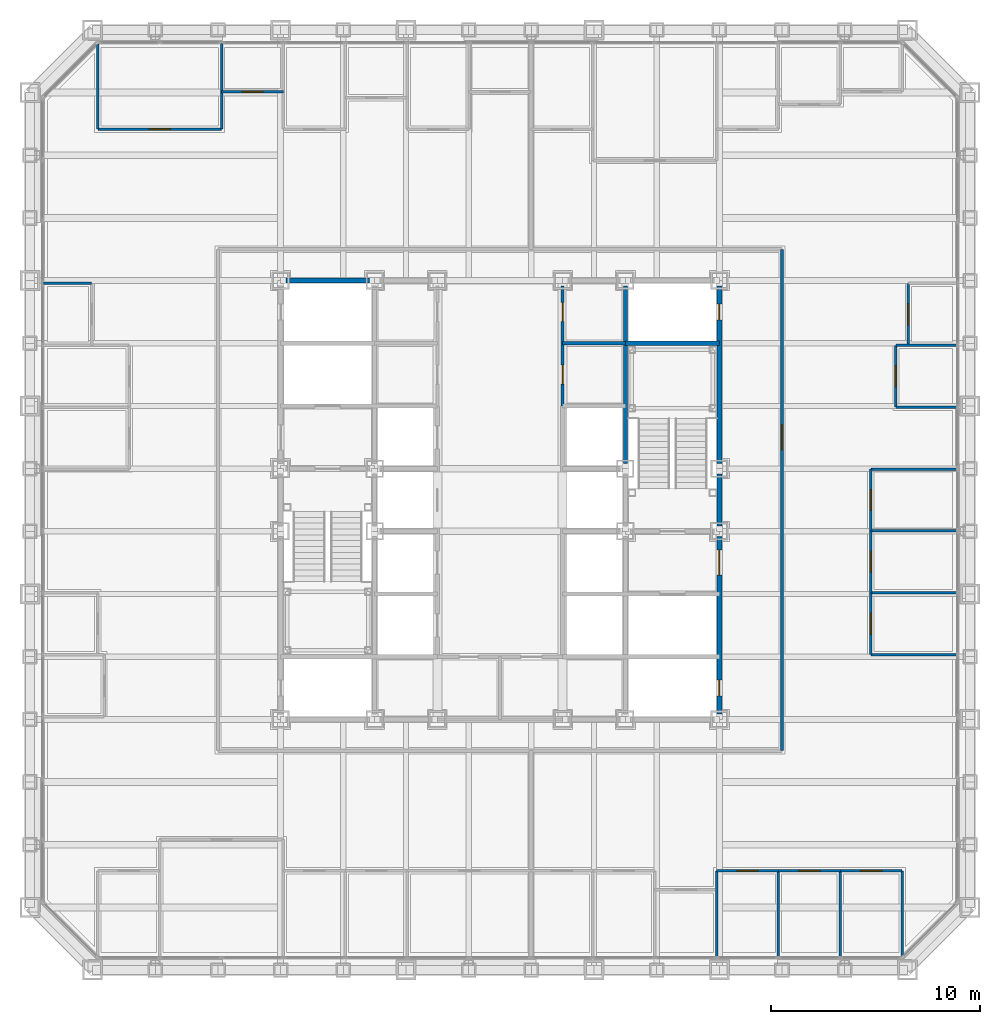
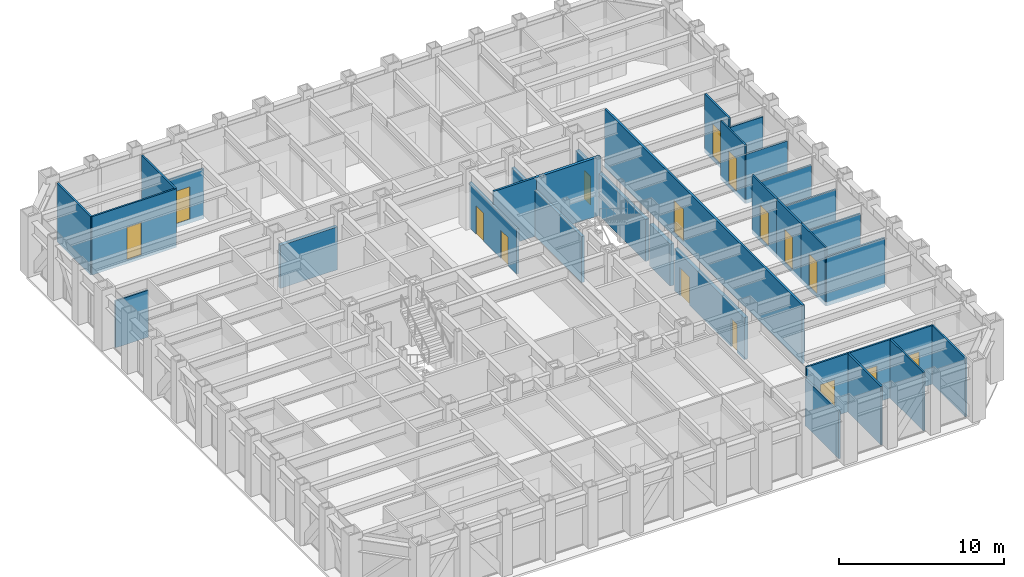
# One storey, part 10 of 16: 32 walls, 16 doors, 16 openings.
"""IFC4 building model written with IfcOpenShell, lengths in metres."""

from ifc_helpers import new_model, si_unit, direction, frame, frame_2d, origin, place, context, subcontext, project, spatial, rectangle, extrude, material, layer, layer_set, type_object, element, fill, save


model = new_model("IFC4")

# Units and contexts
model_context = context("Model", 3, precision=1e-05, world=origin(), true_north=direction((0.0, 1.0)))
body_context = subcontext(model_context, "Body", "Model", "MODEL_VIEW")
ifc_project = project(units=[si_unit("LENGTHUNIT", "METRE"), si_unit("AREAUNIT", "SQUARE_METRE"), si_unit("VOLUMEUNIT", "CUBIC_METRE"), si_unit("PLANEANGLEUNIT", "RADIAN"), si_unit("MASSUNIT", "GRAM", prefix="KILO")], contexts=[model_context])

# Site, building, storey
site_placement = place(None, origin())
site = spatial("IfcSite", under=ifc_project, at=site_placement, CompositionType="ELEMENT")
building_placement = place(site_placement, origin())
building = spatial("IfcBuilding", under=site, at=building_placement, Name="Chuquiago Exchange Tower", CompositionType="ELEMENT")
storey_placement = place(building_placement, frame((0.0, 0.0, 55.800048828125)))
storey = spatial("IfcBuildingStorey", under=building, at=storey_placement, Name="L11", CompositionType="ELEMENT", Elevation=55.800048828125)

# Wall
ifc_material_1 = material(Name="Concrete masonry, fully grouted", Category="masonry")
ifc_layer_1 = layer(ifc_material_1, 0.25)
ifc_layer_set_1 = layer_set([ifc_layer_1], Name="W1 core wall 250")
wall_type_1 = type_object("IfcWallType", Name="W1 core wall 250", PredefinedType="SOLIDWALL", material=ifc_layer_set_1)
wall_1_placement = place(storey_placement, frame((12.25, 33.0, 0.0), z_axis=(0.0, 0.0, 1.0), x_axis=(1.0, 0.0, 0.0)))
element("IfcWall", 1, at=wall_1_placement, inside=storey, type_object=wall_type_1, Name="CW-L11-11-0", PredefinedType="SOLIDWALL", context=body_context, shape_type="SweptSolid", body=[
    extrude(rectangle(XDim=4.0, YDim=0.25, at=frame_2d((2.0, 0.0))), origin(), (0.0, 0.0, 1.0), 3.181396484375),
])

# Wall, openings, doors
wall_2_placement = place(storey_placement, frame((33.0, 12.25, 0.0), z_axis=(0.0, 0.0, 1.0), x_axis=(0.0, 1.0, 0.0)))
wall_2 = element("IfcWall", 2, at=wall_2_placement, inside=storey, type_object=wall_type_1, Name="CW-L11-25-0", PredefinedType="SOLIDWALL", context=body_context, shape_type="SweptSolid", body=[
    extrude(rectangle(XDim=8.5, YDim=0.25, at=frame_2d((4.25, 0.0))), origin(), (0.0, 0.0, 1.0), 3.11279296875),
])
opening_1_placement = place(wall_2_placement, frame((6.64990234375, 0.0, 0.0)))
opening_1 = element("IfcOpeningElement", 3, at=opening_1_placement, cuts=wall_2, Name="Opening L11-004", PredefinedType="OPENING", context=body_context, shape_type="SweptSolid", body=[
    extrude(rectangle(XDim=1.199951171875, YDim=2.10009765625, at=frame_2d((0.60009765625, 1.050048828125))), frame((0.0, 0.135009765625, 0.0), z_axis=(0.0, -1.0, 0.0), x_axis=(1.0, 0.0, 0.0)), (0.0, 0.0, 1.0), 0.27001953125),
])
opening_2_placement = place(wall_2_placement, frame((0.875, 0.0, 0.0)))
opening_2 = element("IfcOpeningElement", 4, at=opening_2_placement, cuts=wall_2, Name="Opening L11-009", PredefinedType="OPENING", context=body_context, shape_type="SweptSolid", body=[
    extrude(rectangle(XDim=0.75, YDim=2.10009765625, at=frame_2d((0.375, 1.050048828125))), frame((0.0, 0.135009765625, 0.0), z_axis=(0.0, -1.0, 0.0), x_axis=(1.0, 0.0, 0.0)), (0.0, 0.0, 1.0), 0.27001953125),
])
ifc_material_2 = material(Name="Steel door, painted", Category="steel")
door_type_1 = type_object("IfcDoorType", Name="D5 firefighting lobby door 1200x2100", OperationType="SINGLE_SWING_LEFT", PredefinedType="DOOR", material=ifc_material_2)
door_1_placement = place(opening_1_placement, origin())
door_1 = element("IfcDoor", 5, at=door_1_placement, inside=storey, type_object=door_type_1, Name="Firefighting lobby 2 door", OperationType="SINGLE_SWING_RIGHT", OverallHeight=2.10009765625, OverallWidth=1.199951171875, PredefinedType="DOOR", context=body_context, shape_type="SweptSolid", body=[
    extrude(rectangle(XDim=1.199951171875, YDim=2.10009765625, at=frame_2d((0.60009765625, 1.050048828125))), frame((0.0, 0.02490234375, 0.0), z_axis=(0.0, -1.0, 0.0), x_axis=(1.0, 0.0, 0.0)), (0.0, 0.0, 1.0), 0.050048828125),
])
fill(opening_1, door_1)
ifc_material_3 = material(Name="Steel door, painted", Category="steel")
door_type_2 = type_object("IfcDoorType", Name="D6 riser access door 750x2100", OperationType="SINGLE_SWING_LEFT", PredefinedType="DOOR", material=ifc_material_3)
door_2_placement = place(opening_2_placement, frame((0.75, 0.0, 0.0), z_axis=(0.0, 0.0, 1.0), x_axis=(-1.0, 0.0, 0.0)))
door_2 = element("IfcDoor", 6, at=door_2_placement, inside=storey, type_object=door_type_2, Name="Riser RE1 door", OperationType="SINGLE_SWING_RIGHT", OverallHeight=2.10009765625, OverallWidth=0.75, PredefinedType="DOOR", context=body_context, shape_type="SweptSolid", body=[
    extrude(rectangle(XDim=0.75, YDim=2.10009765625, at=frame_2d((0.375, 1.050048828125))), frame((0.0, 0.02490234375, 0.0), z_axis=(0.0, -1.0, 0.0), x_axis=(1.0, 0.0, 0.0)), (0.0, 0.0, 1.0), 0.050048828125),
])
fill(opening_2, door_2)

# Wall
wall_3_placement = place(storey_placement, frame((33.0, 21.25, 0.0), z_axis=(0.0, 0.0, 1.0), x_axis=(0.0, 1.0, 0.0)))
element("IfcWall", 7, at=wall_3_placement, inside=storey, type_object=wall_type_1, Name="CW-L11-25-1", PredefinedType="SOLIDWALL", context=body_context, shape_type="SweptSolid", body=[
    extrude(rectangle(XDim=2.5, YDim=0.25, at=frame_2d((1.25, 0.0))), origin(), (0.0, 0.0, 1.0), 3.11279296875),
])

# Wall, opening, door
wall_4_placement = place(storey_placement, frame((33.0, 24.25, 0.0), z_axis=(0.0, 0.0, 1.0), x_axis=(0.0, 1.0, 0.0)))
wall_4 = element("IfcWall", 8, at=wall_4_placement, inside=storey, type_object=wall_type_1, Name="CW-L11-25-2", PredefinedType="SOLIDWALL", context=body_context, shape_type="SweptSolid", body=[
    extrude(rectangle(XDim=8.5, YDim=0.25, at=frame_2d((4.25, 0.0))), origin(), (0.0, 0.0, 1.0), 3.11279296875),
])
opening_3_placement = place(wall_4_placement, frame((6.875, 0.0, 0.0)))
opening_3 = element("IfcOpeningElement", 9, at=opening_3_placement, cuts=wall_4, Name="Opening L11-010", PredefinedType="OPENING", context=body_context, shape_type="SweptSolid", body=[
    extrude(rectangle(XDim=0.75, YDim=2.10009765625, at=frame_2d((0.375, 1.050048828125))), frame((0.0, 0.135009765625, 0.0), z_axis=(0.0, -1.0, 0.0), x_axis=(1.0, 0.0, 0.0)), (0.0, 0.0, 1.0), 0.27001953125),
])
door_3_placement = place(opening_3_placement, frame((0.75, 0.0, 0.0), z_axis=(0.0, 0.0, 1.0), x_axis=(-1.0, 0.0, 0.0)))
door_3 = element("IfcDoor", 10, at=door_3_placement, inside=storey, type_object=door_type_2, Name="Riser RE2 door", OperationType="SINGLE_SWING_LEFT", OverallHeight=2.10009765625, OverallWidth=0.75, PredefinedType="DOOR", context=body_context, shape_type="SweptSolid", body=[
    extrude(rectangle(XDim=0.75, YDim=2.10009765625, at=frame_2d((0.375, 1.050048828125))), frame((0.0, 0.02490234375, 0.0), z_axis=(0.0, -1.0, 0.0), x_axis=(1.0, 0.0, 0.0)), (0.0, 0.0, 1.0), 0.050048828125),
])
fill(opening_3, door_3)

ifc_material_4 = material(Name="Gypsum board on steel studs, acoustic insulation", Category="steel")
ifc_layer_2 = layer(ifc_material_4, 0.14990234375)
ifc_layer_set_2 = layer_set([ifc_layer_2], Name="W11 corridor wall 150")
wall_type_2 = type_object("IfcWallType", Name="W11 corridor wall 150", PredefinedType="PARTITIONING", material=ifc_layer_set_2)
wall_5_placement = place(storey_placement, frame((36.0, 10.5, -0.300048828125), z_axis=(0.0, 0.0, 1.0), x_axis=(0.0, 1.0, 0.0)))
wall_5 = element("IfcWall", 11, at=wall_5_placement, inside=storey, type_object=wall_type_2, Name="PW-L11-CE", PredefinedType="PARTITIONING", context=body_context, shape_type="SweptSolid", body=[
    extrude(rectangle(XDim=24.0, YDim=0.14990234375, at=frame_2d((12.0, 0.0))), origin(), (0.0, 0.0, 1.0), 4.340087890625),
])
opening_4_placement = place(wall_5_placement, frame((14.39990234375, 0.0, 0.300048828125)))
opening_4 = element("IfcOpeningElement", 12, at=opening_4_placement, cuts=wall_5, Name="Opening L11-054", PredefinedType="OPENING", context=body_context, shape_type="SweptSolid", body=[
    extrude(rectangle(XDim=1.199951171875, YDim=2.39990234375, at=frame_2d((0.60009765625, 1.199951171875))), frame((0.0, 0.0849609375, 0.0), z_axis=(0.0, -1.0, 0.0), x_axis=(1.0, 0.0, 0.0)), (0.0, 0.0, 1.0), 0.169921875),
])
ifc_material_5 = material(Name="Timber door, laminate faced", Category="wood")
door_type_3 = type_object("IfcDoorType", Name="D13 suite entrance door 1200x2400", OperationType="SINGLE_SWING_LEFT", PredefinedType="DOOR", material=ifc_material_5)
door_4_placement = place(opening_4_placement, origin())
door_4 = element("IfcDoor", 13, at=door_4_placement, inside=storey, type_object=door_type_3, Name="East suite entrance door", OperationType="SINGLE_SWING_RIGHT", OverallHeight=2.39990234375, OverallWidth=1.199951171875, PredefinedType="DOOR", context=body_context, shape_type="SweptSolid", body=[
    extrude(rectangle(XDim=1.199951171875, YDim=2.39990234375, at=frame_2d((0.60009765625, 1.199951171875))), frame((0.0, 0.02490234375, 0.0), z_axis=(0.0, -1.0, 0.0), x_axis=(1.0, 0.0, 0.0)), (0.0, 0.0, 1.0), 0.050048828125),
])
fill(opening_4, door_4)

# Walls
ifc_material_6 = material(Name="Concrete masonry, fully grouted", Category="masonry")
ifc_layer_3 = layer(ifc_material_6, 0.199951171875)
ifc_layer_set_3 = layer_set([ifc_layer_3], Name="W2 shaft wall 200")
wall_type_3 = type_object("IfcWallType", Name="W2 shaft wall 200", PredefinedType="SOLIDWALL", material=ifc_layer_set_3)
wall_6_placement = place(storey_placement, frame((28.5, 30.0, 0.0), z_axis=(0.0, 0.0, 1.0), x_axis=(1.0, 0.0, 0.0)))
element("IfcWall", 14, at=wall_6_placement, inside=storey, type_object=wall_type_3, Name="CW-L11-10-0", PredefinedType="SOLIDWALL", context=body_context, shape_type="SweptSolid", body=[
    extrude(rectangle(XDim=4.5, YDim=0.199951171875, at=frame_2d((2.25, 0.0))), origin(), (0.0, 0.0, 1.0), 4.33984375),
])
wall_7_placement = place(storey_placement, frame((28.5, 24.25, 0.0), z_axis=(0.0, 0.0, 1.0), x_axis=(0.0, 1.0, 0.0)))
element("IfcWall", 15, at=wall_7_placement, inside=storey, type_object=wall_type_3, Name="CW-L11-24-2", PredefinedType="SOLIDWALL", context=body_context, shape_type="SweptSolid", body=[
    extrude(rectangle(XDim=8.5, YDim=0.199951171875, at=frame_2d((4.25, 0.0))), origin(), (0.0, 0.0, 1.0), 3.412841796875),
])

# Wall, openings, doors
ifc_material_7 = material(Name="Gypsum board on steel studs", Category="steel")
ifc_layer_4 = layer(ifc_material_7, 0.14990234375)
ifc_layer_set_4 = layer_set([ifc_layer_4], Name="W3 core partition 150")
wall_type_4 = type_object("IfcWallType", Name="W3 core partition 150", PredefinedType="PARTITIONING", material=ifc_layer_set_4)
wall_8_placement = place(storey_placement, frame((25.5, 27.0, 0.0), z_axis=(0.0, 0.0, 1.0), x_axis=(0.0, 1.0, 0.0)))
wall_8 = element("IfcWall", 16, at=wall_8_placement, inside=storey, type_object=wall_type_4, Name="CW-L11-23-0", PredefinedType="PARTITIONING", context=body_context, shape_type="SweptSolid", body=[
    extrude(rectangle(XDim=5.75, YDim=0.14990234375, at=frame_2d((2.875, 0.0))), origin(), (0.0, 0.0, 1.0), 3.364501953125),
])
opening_5_placement = place(wall_8_placement, frame((1.050048828125, 0.0, 0.0)))
opening_5 = element("IfcOpeningElement", 17, at=opening_5_placement, cuts=wall_8, Name="Opening L11-013", PredefinedType="OPENING", context=body_context, shape_type="SweptSolid", body=[
    extrude(rectangle(XDim=0.89990234375, YDim=2.10009765625, at=frame_2d((0.449951171875, 1.050048828125))), frame((0.0, 0.0849609375, 0.0), z_axis=(0.0, -1.0, 0.0), x_axis=(1.0, 0.0, 0.0)), (0.0, 0.0, 1.0), 0.169921875),
])
opening_6_placement = place(wall_8_placement, frame((4.050048828125, 0.0, 0.0)))
opening_6 = element("IfcOpeningElement", 18, at=opening_6_placement, cuts=wall_8, Name="Opening L11-014", PredefinedType="OPENING", context=body_context, shape_type="SweptSolid", body=[
    extrude(rectangle(XDim=0.89990234375, YDim=2.10009765625, at=frame_2d((0.449951171875, 1.050048828125))), frame((0.0, 0.0849609375, 0.0), z_axis=(0.0, -1.0, 0.0), x_axis=(1.0, 0.0, 0.0)), (0.0, 0.0, 1.0), 0.169921875),
])
ifc_material_8 = material(Name="Timber door, laminate faced", Category="wood")
door_type_4 = type_object("IfcDoorType", Name="D16 core room door 900x2100", OperationType="SINGLE_SWING_LEFT", PredefinedType="DOOR", material=ifc_material_8)
door_5_placement = place(opening_6_placement, frame((0.89990234375, 0.0, 0.0), z_axis=(0.0, 0.0, 1.0), x_axis=(-1.0, 0.0, 0.0)))
door_5 = element("IfcDoor", 19, at=door_5_placement, inside=storey, type_object=door_type_4, Name="Baby change room door", OperationType="SINGLE_SWING_LEFT", OverallHeight=2.10009765625, OverallWidth=0.89990234375, PredefinedType="DOOR", context=body_context, shape_type="SweptSolid", body=[
    extrude(rectangle(XDim=0.89990234375, YDim=2.10009765625, at=frame_2d((0.449951171875, 1.050048828125))), frame((0.0, 0.02490234375, 0.0), z_axis=(0.0, -1.0, 0.0), x_axis=(1.0, 0.0, 0.0)), (0.0, 0.0, 1.0), 0.050048828125),
])
fill(opening_6, door_5)
ifc_material_9 = material(Name="Timber door, laminate faced", Category="wood")
door_type_5 = type_object("IfcDoorType", Name="D7 toilet door 900x2100", OperationType="SINGLE_SWING_LEFT", PredefinedType="DOOR", material=ifc_material_9)
door_6_placement = place(opening_5_placement, frame((0.89990234375, 0.0, 0.0), z_axis=(0.0, 0.0, 1.0), x_axis=(-1.0, 0.0, 0.0)))
door_6 = element("IfcDoor", 20, at=door_6_placement, inside=storey, type_object=door_type_5, Name="Female WC door", OperationType="SINGLE_SWING_RIGHT", OverallHeight=2.10009765625, OverallWidth=0.89990234375, PredefinedType="DOOR", context=body_context, shape_type="SweptSolid", body=[
    extrude(rectangle(XDim=0.89990234375, YDim=2.10009765625, at=frame_2d((0.449951171875, 1.050048828125))), frame((0.0, 0.02490234375, 0.0), z_axis=(0.0, -1.0, 0.0), x_axis=(1.0, 0.0, 0.0)), (0.0, 0.0, 1.0), 0.050048828125),
])
fill(opening_5, door_6)

# Walls
wall_9_placement = place(storey_placement, frame((25.5, 30.0, 0.0), z_axis=(0.0, 0.0, 1.0), x_axis=(1.0, 0.0, 0.0)))
element("IfcWall", 21, at=wall_9_placement, inside=storey, type_object=wall_type_4, Name="CW-L11-WCFS", PredefinedType="PARTITIONING", context=body_context, shape_type="SweptSolid", body=[
    extrude(rectangle(XDim=3.0, YDim=0.14990234375, at=frame_2d((1.5, 0.0))), origin(), (0.0, 0.0, 1.0), 4.33984375),
])
ifc_material_10 = material(Name="Gypsum board on steel studs", Category="steel")
ifc_layer_5 = layer(ifc_material_10, 0.1201171875)
ifc_layer_set_5 = layer_set([ifc_layer_5], Name="W4 partition 120")
wall_type_5 = type_object("IfcWallType", Name="W4 partition 120", PredefinedType="PARTITIONING", material=ifc_layer_set_5)
wall_10_placement = place(storey_placement, frame((32.8662109375, 0.657470703125, -0.300048828125), z_axis=(0.0, 0.0, 1.0), x_axis=(0.0, 1.0, 0.0)))
element("IfcWall", 22, at=wall_10_placement, inside=storey, type_object=wall_type_5, Name="PW-L11-S03287", PredefinedType="PARTITIONING", context=body_context, shape_type="SweptSolid", body=[
    extrude(rectangle(XDim=4.092529296875, YDim=0.1201171875, at=frame_2d((2.04638671875, 0.0))), origin(), (0.0, 0.0, 1.0), 3.4814453125),
])
for number, where, z_axis, x_axis, name in (
    (23, (35.827880859375, 0.657470703125, -0.300048828125), (0.0, 0.0, 1.0), (0.0, 1.0, 0.0), "PW-L11-S03583"),
    (24, (38.789794921875, 0.657470703125, -0.300048828125), (0.0, 0.0, 1.0), (0.0, 1.0, 0.0), "PW-L11-S03879"),
):
    element("IfcWall", number, at=place(storey_placement, frame(where, z_axis=z_axis, x_axis=x_axis)), inside=storey, type_object=wall_type_5, Name=name, PredefinedType="PARTITIONING", context=body_context, shape_type="SweptSolid", body=[
        extrude(rectangle(XDim=4.092529296875, YDim=0.1201171875, at=frame_2d((2.04638671875, 0.0))), origin(), (0.0, 0.0, 1.0), 4.340087890625),
    ])
wall_11_placement = place(storey_placement, frame((41.75146484375, 0.666015625, -0.300048828125), z_axis=(0.0, 0.0, 1.0), x_axis=(0.0, 1.0, 0.0)))
element("IfcWall", 25, at=wall_11_placement, inside=storey, type_object=wall_type_5, Name="PW-L11-S04175", PredefinedType="PARTITIONING", context=body_context, shape_type="SweptSolid", body=[
    extrude(rectangle(XDim=4.083984375, YDim=0.1201171875, at=frame_2d((2.0419921875, 0.0))), origin(), (0.0, 0.0, 1.0), 4.340087890625),
])

# Wall, opening, door
wall_12_placement = place(storey_placement, frame((32.8662109375, 4.75, -0.300048828125), z_axis=(0.0, 0.0, 1.0), x_axis=(1.0, 0.0, 0.0)))
wall_12 = element("IfcWall", 26, at=wall_12_placement, inside=storey, type_object=wall_type_5, Name="PW-L11-SF03287", PredefinedType="PARTITIONING", context=body_context, shape_type="SweptSolid", body=[
    extrude(rectangle(XDim=2.961669921875, YDim=0.1201171875, at=frame_2d((1.48095703125, 0.0))), origin(), (0.0, 0.0, 1.0), 4.340087890625),
])
opening_7_placement = place(wall_12_placement, frame((0.98095703125, 0.0, 0.300048828125)))
opening_7 = element("IfcOpeningElement", 27, at=opening_7_placement, cuts=wall_12, Name="Opening L11-029", PredefinedType="OPENING", context=body_context, shape_type="SweptSolid", body=[
    extrude(rectangle(XDim=1.0, YDim=2.39990234375, at=frame_2d((0.5, 1.199951171875))), frame((0.0, 0.070068359375, 0.0), z_axis=(0.0, -1.0, 0.0), x_axis=(1.0, 0.0, 0.0)), (0.0, 0.0, 1.0), 0.14013671875),
])
ifc_material_11 = material(Name="Timber door, laminate faced", Category="wood")
door_type_6 = type_object("IfcDoorType", Name="D9 room door 1000x2400", OperationType="SINGLE_SWING_LEFT", PredefinedType="DOOR", material=ifc_material_11)
door_7_placement = place(opening_7_placement, frame((1.0, 0.0, 0.0), z_axis=(0.0, 0.0, 1.0), x_axis=(-1.0, 0.0, 0.0)))
door_7 = element("IfcDoor", 28, at=door_7_placement, inside=storey, type_object=door_type_6, Name="Trading support room door", OperationType="SINGLE_SWING_LEFT", OverallHeight=2.39990234375, OverallWidth=1.0, PredefinedType="DOOR", context=body_context, shape_type="SweptSolid", body=[
    extrude(rectangle(XDim=1.0, YDim=2.39990234375, at=frame_2d((0.5, 1.199951171875))), frame((0.0, 0.02490234375, 0.0), z_axis=(0.0, -1.0, 0.0), x_axis=(1.0, 0.0, 0.0)), (0.0, 0.0, 1.0), 0.050048828125),
])
fill(opening_7, door_7)

wall_13_placement = place(storey_placement, frame((35.827880859375, 4.75, -0.300048828125), z_axis=(0.0, 0.0, 1.0), x_axis=(1.0, 0.0, 0.0)))
wall_13 = element("IfcWall", 29, at=wall_13_placement, inside=storey, type_object=wall_type_5, Name="PW-L11-SF03583", PredefinedType="PARTITIONING", context=body_context, shape_type="SweptSolid", body=[
    extrude(rectangle(XDim=2.9619140625, YDim=0.1201171875, at=frame_2d((1.48095703125, 0.0))), origin(), (0.0, 0.0, 1.0), 4.340087890625),
])
opening_8_placement = place(wall_13_placement, frame((0.98095703125, 0.0, 0.300048828125)))
opening_8 = element("IfcOpeningElement", 30, at=opening_8_placement, cuts=wall_13, Name="Opening L11-030", PredefinedType="OPENING", context=body_context, shape_type="SweptSolid", body=[
    extrude(rectangle(XDim=1.0, YDim=2.39990234375, at=frame_2d((0.5, 1.199951171875))), frame((0.0, 0.070068359375, 0.0), z_axis=(0.0, -1.0, 0.0), x_axis=(1.0, 0.0, 0.0)), (0.0, 0.0, 1.0), 0.14013671875),
])
door_8_placement = place(opening_8_placement, frame((1.0, 0.0, 0.0), z_axis=(0.0, 0.0, 1.0), x_axis=(-1.0, 0.0, 0.0)))
door_8 = element("IfcDoor", 31, at=door_8_placement, inside=storey, type_object=door_type_6, Name="Trading support room door", OperationType="SINGLE_SWING_RIGHT", OverallHeight=2.39990234375, OverallWidth=1.0, PredefinedType="DOOR", context=body_context, shape_type="SweptSolid", body=[
    extrude(rectangle(XDim=1.0, YDim=2.39990234375, at=frame_2d((0.5, 1.199951171875))), frame((0.0, 0.02490234375, 0.0), z_axis=(0.0, -1.0, 0.0), x_axis=(1.0, 0.0, 0.0)), (0.0, 0.0, 1.0), 0.050048828125),
])
fill(opening_8, door_8)

wall_14_placement = place(storey_placement, frame((38.789794921875, 4.75, -0.300048828125), z_axis=(0.0, 0.0, 1.0), x_axis=(1.0, 0.0, 0.0)))
wall_14 = element("IfcWall", 32, at=wall_14_placement, inside=storey, type_object=wall_type_5, Name="PW-L11-SF03879", PredefinedType="PARTITIONING", context=body_context, shape_type="SweptSolid", body=[
    extrude(rectangle(XDim=2.961669921875, YDim=0.1201171875, at=frame_2d((1.48095703125, 0.0))), origin(), (0.0, 0.0, 1.0), 4.340087890625),
])
opening_9_placement = place(wall_14_placement, frame((0.98095703125, 0.0, 0.300048828125)))
opening_9 = element("IfcOpeningElement", 33, at=opening_9_placement, cuts=wall_14, Name="Opening L11-031", PredefinedType="OPENING", context=body_context, shape_type="SweptSolid", body=[
    extrude(rectangle(XDim=1.0, YDim=2.39990234375, at=frame_2d((0.5, 1.199951171875))), frame((0.0, 0.070068359375, 0.0), z_axis=(0.0, -1.0, 0.0), x_axis=(1.0, 0.0, 0.0)), (0.0, 0.0, 1.0), 0.14013671875),
])
ifc_material_12 = material(Name="Timber frame door, full height glazed panel", Category="wood")
door_type_7 = type_object("IfcDoorType", Name="D14 glazed meeting room door 1000x2400", OperationType="SINGLE_SWING_LEFT", PredefinedType="DOOR", material=ifc_material_12)
door_9_placement = place(opening_9_placement, frame((1.0, 0.0, 0.0), z_axis=(0.0, 0.0, 1.0), x_axis=(-1.0, 0.0, 0.0)))
door_9 = element("IfcDoor", 34, at=door_9_placement, inside=storey, type_object=door_type_7, Name="Meeting room door", OperationType="SINGLE_SWING_LEFT", OverallHeight=2.39990234375, OverallWidth=1.0, PredefinedType="DOOR", context=body_context, shape_type="SweptSolid", body=[
    extrude(rectangle(XDim=1.0, YDim=2.39990234375, at=frame_2d((0.5, 1.199951171875))), frame((0.0, 0.02490234375, 0.0), z_axis=(0.0, -1.0, 0.0), x_axis=(1.0, 0.0, 0.0)), (0.0, 0.0, 1.0), 0.050048828125),
])
fill(opening_9, door_9)

# Walls
for number, where, z_axis, x_axis, name in (
    (35, (44.342529296875, 15.095703125, -0.300048828125), (0.0, 0.0, 1.0), (-1.0, 0.0, 0.0), "PW-L11-E01510"),
    (36, (44.342529296875, 18.057373046875, -0.300048828125), (0.0, 0.0, 1.0), (-1.0, 0.0, 0.0), "PW-L11-E01806"),
    (37, (44.342529296875, 21.01904296875, -0.300048828125), (0.0, 0.0, 1.0), (-1.0, 0.0, 0.0), "PW-L11-E02102"),
    (38, (44.342529296875, 23.98095703125, -0.300048828125), (0.0, 0.0, 1.0), (-1.0, 0.0, 0.0), "PW-L11-E02398"),
):
    element("IfcWall", number, at=place(storey_placement, frame(where, z_axis=z_axis, x_axis=x_axis)), inside=storey, type_object=wall_type_5, Name=name, PredefinedType="PARTITIONING", context=body_context, shape_type="SweptSolid", body=[
        extrude(rectangle(XDim=4.092529296875, YDim=0.1201171875, at=frame_2d((2.04638671875, 0.0))), origin(), (0.0, 0.0, 1.0), 3.646484375),
    ])
for number, where, z_axis, x_axis, name in (
    (39, (44.342529296875, 26.942626953125, -0.300048828125), (0.0, 0.0, 1.0), (-1.0, 0.0, 0.0), "PW-L11-E02694"),
    (40, (44.342529296875, 29.904296875, -0.300048828125), (0.0, 0.0, 1.0), (-1.0, 0.0, 0.0), "PW-L11-E02990"),
):
    element("IfcWall", number, at=place(storey_placement, frame(where, z_axis=z_axis, x_axis=x_axis)), inside=storey, type_object=wall_type_5, Name=name, PredefinedType="PARTITIONING", context=body_context, shape_type="SweptSolid", body=[
        extrude(rectangle(XDim=2.892578125, YDim=0.1201171875, at=frame_2d((1.4462890625, 0.0))), origin(), (0.0, 0.0, 1.0), 3.646484375),
    ])

# Wall, opening, door
wall_15_placement = place(storey_placement, frame((40.25, 15.095703125, -0.300048828125), z_axis=(0.0, 0.0, 1.0), x_axis=(0.0, 1.0, 0.0)))
wall_15 = element("IfcWall", 41, at=wall_15_placement, inside=storey, type_object=wall_type_5, Name="PW-L11-EF01510", PredefinedType="PARTITIONING", context=body_context, shape_type="SweptSolid", body=[
    extrude(rectangle(XDim=2.961669921875, YDim=0.1201171875, at=frame_2d((1.48095703125, 0.0))), origin(), (0.0, 0.0, 1.0), 4.340087890625),
])
opening_10_placement = place(wall_15_placement, frame((0.98095703125, 0.0, 0.300048828125)))
opening_10 = element("IfcOpeningElement", 42, at=opening_10_placement, cuts=wall_15, Name="Opening L11-032", PredefinedType="OPENING", context=body_context, shape_type="SweptSolid", body=[
    extrude(rectangle(XDim=1.0, YDim=2.39990234375, at=frame_2d((0.5, 1.199951171875))), frame((0.0, 0.070068359375, 0.0), z_axis=(0.0, -1.0, 0.0), x_axis=(1.0, 0.0, 0.0)), (0.0, 0.0, 1.0), 0.14013671875),
])
door_10_placement = place(opening_10_placement, frame((1.0, 0.0, 0.0), z_axis=(0.0, 0.0, 1.0), x_axis=(-1.0, 0.0, 0.0)))
door_10 = element("IfcDoor", 43, at=door_10_placement, inside=storey, type_object=door_type_6, Name="Office door", OperationType="SINGLE_SWING_RIGHT", OverallHeight=2.39990234375, OverallWidth=1.0, PredefinedType="DOOR", context=body_context, shape_type="SweptSolid", body=[
    extrude(rectangle(XDim=1.0, YDim=2.39990234375, at=frame_2d((0.5, 1.199951171875))), frame((0.0, 0.02490234375, 0.0), z_axis=(0.0, -1.0, 0.0), x_axis=(1.0, 0.0, 0.0)), (0.0, 0.0, 1.0), 0.050048828125),
])
fill(opening_10, door_10)

wall_16_placement = place(storey_placement, frame((40.25, 18.057373046875, -0.300048828125), z_axis=(0.0, 0.0, 1.0), x_axis=(0.0, 1.0, 0.0)))
wall_16 = element("IfcWall", 44, at=wall_16_placement, inside=storey, type_object=wall_type_5, Name="PW-L11-EF01806", PredefinedType="PARTITIONING", context=body_context, shape_type="SweptSolid", body=[
    extrude(rectangle(XDim=2.961669921875, YDim=0.1201171875, at=frame_2d((1.48095703125, 0.0))), origin(), (0.0, 0.0, 1.0), 4.340087890625),
])
opening_11_placement = place(wall_16_placement, frame((0.98095703125, 0.0, 0.300048828125)))
opening_11 = element("IfcOpeningElement", 45, at=opening_11_placement, cuts=wall_16, Name="Opening L11-033", PredefinedType="OPENING", context=body_context, shape_type="SweptSolid", body=[
    extrude(rectangle(XDim=1.0, YDim=2.39990234375, at=frame_2d((0.5, 1.199951171875))), frame((0.0, 0.070068359375, 0.0), z_axis=(0.0, -1.0, 0.0), x_axis=(1.0, 0.0, 0.0)), (0.0, 0.0, 1.0), 0.14013671875),
])
door_11_placement = place(opening_11_placement, frame((1.0, 0.0, 0.0), z_axis=(0.0, 0.0, 1.0), x_axis=(-1.0, 0.0, 0.0)))
door_11 = element("IfcDoor", 46, at=door_11_placement, inside=storey, type_object=door_type_6, Name="Office door", OperationType="SINGLE_SWING_LEFT", OverallHeight=2.39990234375, OverallWidth=1.0, PredefinedType="DOOR", context=body_context, shape_type="SweptSolid", body=[
    extrude(rectangle(XDim=1.0, YDim=2.39990234375, at=frame_2d((0.5, 1.199951171875))), frame((0.0, 0.02490234375, 0.0), z_axis=(0.0, -1.0, 0.0), x_axis=(1.0, 0.0, 0.0)), (0.0, 0.0, 1.0), 0.050048828125),
])
fill(opening_11, door_11)

wall_17_placement = place(storey_placement, frame((40.25, 21.01904296875, -0.300048828125), z_axis=(0.0, 0.0, 1.0), x_axis=(0.0, 1.0, 0.0)))
wall_17 = element("IfcWall", 47, at=wall_17_placement, inside=storey, type_object=wall_type_5, Name="PW-L11-EF02102", PredefinedType="PARTITIONING", context=body_context, shape_type="SweptSolid", body=[
    extrude(rectangle(XDim=2.9619140625, YDim=0.1201171875, at=frame_2d((1.48095703125, 0.0))), origin(), (0.0, 0.0, 1.0), 4.340087890625),
])
opening_12_placement = place(wall_17_placement, frame((0.98095703125, 0.0, 0.300048828125)))
opening_12 = element("IfcOpeningElement", 48, at=opening_12_placement, cuts=wall_17, Name="Opening L11-034", PredefinedType="OPENING", context=body_context, shape_type="SweptSolid", body=[
    extrude(rectangle(XDim=1.0, YDim=2.39990234375, at=frame_2d((0.5, 1.199951171875))), frame((0.0, 0.070068359375, 0.0), z_axis=(0.0, -1.0, 0.0), x_axis=(1.0, 0.0, 0.0)), (0.0, 0.0, 1.0), 0.14013671875),
])
door_12_placement = place(opening_12_placement, frame((1.0, 0.0, 0.0), z_axis=(0.0, 0.0, 1.0), x_axis=(-1.0, 0.0, 0.0)))
door_12 = element("IfcDoor", 49, at=door_12_placement, inside=storey, type_object=door_type_6, Name="Office door", OperationType="SINGLE_SWING_LEFT", OverallHeight=2.39990234375, OverallWidth=1.0, PredefinedType="DOOR", context=body_context, shape_type="SweptSolid", body=[
    extrude(rectangle(XDim=1.0, YDim=2.39990234375, at=frame_2d((0.5, 1.199951171875))), frame((0.0, 0.02490234375, 0.0), z_axis=(0.0, -1.0, 0.0), x_axis=(1.0, 0.0, 0.0)), (0.0, 0.0, 1.0), 0.050048828125),
])
fill(opening_12, door_12)

wall_18_placement = place(storey_placement, frame((41.449951171875, 26.942626953125, -0.300048828125), z_axis=(0.0, 0.0, 1.0), x_axis=(0.0, 1.0, 0.0)))
wall_18 = element("IfcWall", 50, at=wall_18_placement, inside=storey, type_object=wall_type_5, Name="PW-L11-EF02694", PredefinedType="PARTITIONING", context=body_context, shape_type="SweptSolid", body=[
    extrude(rectangle(XDim=2.961669921875, YDim=0.1201171875, at=frame_2d((1.48095703125, 0.0))), origin(), (0.0, 0.0, 1.0), 4.340087890625),
])
opening_13_placement = place(wall_18_placement, frame((0.98095703125, 0.0, 0.300048828125)))
opening_13 = element("IfcOpeningElement", 51, at=opening_13_placement, cuts=wall_18, Name="Opening L11-035", PredefinedType="OPENING", context=body_context, shape_type="SweptSolid", body=[
    extrude(rectangle(XDim=1.0, YDim=2.39990234375, at=frame_2d((0.5, 1.199951171875))), frame((0.0, 0.070068359375, 0.0), z_axis=(0.0, -1.0, 0.0), x_axis=(1.0, 0.0, 0.0)), (0.0, 0.0, 1.0), 0.14013671875),
])
door_13_placement = place(opening_13_placement, frame((1.0, 0.0, 0.0), z_axis=(0.0, 0.0, 1.0), x_axis=(-1.0, 0.0, 0.0)))
door_13 = element("IfcDoor", 52, at=door_13_placement, inside=storey, type_object=door_type_6, Name="Pantry door", OperationType="SINGLE_SWING_RIGHT", OverallHeight=2.39990234375, OverallWidth=1.0, PredefinedType="DOOR", context=body_context, shape_type="SweptSolid", body=[
    extrude(rectangle(XDim=1.0, YDim=2.39990234375, at=frame_2d((0.5, 1.199951171875))), frame((0.0, 0.02490234375, 0.0), z_axis=(0.0, -1.0, 0.0), x_axis=(1.0, 0.0, 0.0)), (0.0, 0.0, 1.0), 0.050048828125),
])
fill(opening_13, door_13)

wall_19_placement = place(storey_placement, frame((42.050048828125, 29.904296875, -0.300048828125), z_axis=(0.0, 0.0, 1.0), x_axis=(0.0, 1.0, 0.0)))
wall_19 = element("IfcWall", 53, at=wall_19_placement, inside=storey, type_object=wall_type_5, Name="PW-L11-EF02990", PredefinedType="PARTITIONING", context=body_context, shape_type="SweptSolid", body=[
    extrude(rectangle(XDim=2.9619140625, YDim=0.1201171875, at=frame_2d((1.48095703125, 0.0))), origin(), (0.0, 0.0, 1.0), 4.340087890625),
])
opening_14_placement = place(wall_19_placement, frame((0.98095703125, 0.0, 0.300048828125)))
opening_14 = element("IfcOpeningElement", 54, at=opening_14_placement, cuts=wall_19, Name="Opening L11-036", PredefinedType="OPENING", context=body_context, shape_type="SweptSolid", body=[
    extrude(rectangle(XDim=1.0, YDim=2.39990234375, at=frame_2d((0.5, 1.199951171875))), frame((0.0, 0.070068359375, 0.0), z_axis=(0.0, -1.0, 0.0), x_axis=(1.0, 0.0, 0.0)), (0.0, 0.0, 1.0), 0.14013671875),
])
door_14_placement = place(opening_14_placement, frame((1.0, 0.0, 0.0), z_axis=(0.0, 0.0, 1.0), x_axis=(-1.0, 0.0, 0.0)))
door_14 = element("IfcDoor", 55, at=door_14_placement, inside=storey, type_object=door_type_7, Name="Focus room door", OperationType="SINGLE_SWING_RIGHT", OverallHeight=2.39990234375, OverallWidth=1.0, PredefinedType="DOOR", context=body_context, shape_type="SweptSolid", body=[
    extrude(rectangle(XDim=1.0, YDim=2.39990234375, at=frame_2d((0.5, 1.199951171875))), frame((0.0, 0.02490234375, 0.0), z_axis=(0.0, -1.0, 0.0), x_axis=(1.0, 0.0, 0.0)), (0.0, 0.0, 1.0), 0.050048828125),
])
fill(opening_14, door_14)

# Walls
wall_20_placement = place(storey_placement, frame((3.24853515625, 44.333984375, -0.300048828125), z_axis=(0.0, 0.0, 1.0), x_axis=(0.0, -1.0, 0.0)))
element("IfcWall", 56, at=wall_20_placement, inside=storey, type_object=wall_type_5, Name="PW-L11-N00325", PredefinedType="PARTITIONING", context=body_context, shape_type="SweptSolid", body=[
    extrude(rectangle(XDim=4.083984375, YDim=0.1201171875, at=frame_2d((2.0419921875, 0.0))), origin(), (0.0, 0.0, 1.0), 4.340087890625),
])
wall_21_placement = place(storey_placement, frame((9.172119140625, 44.342529296875, -0.300048828125), z_axis=(0.0, 0.0, 1.0), x_axis=(0.0, -1.0, 0.0)))
element("IfcWall", 57, at=wall_21_placement, inside=storey, type_object=wall_type_5, Name="PW-L11-N00917", PredefinedType="PARTITIONING", context=body_context, shape_type="SweptSolid", body=[
    extrude(rectangle(XDim=4.092529296875, YDim=0.1201171875, at=frame_2d((2.04638671875, 0.0))), origin(), (0.0, 0.0, 1.0), 4.340087890625),
])

# Wall, opening, door
wall_22_placement = place(storey_placement, frame((3.24853515625, 40.25, -0.300048828125), z_axis=(0.0, 0.0, 1.0), x_axis=(1.0, 0.0, 0.0)))
wall_22 = element("IfcWall", 58, at=wall_22_placement, inside=storey, type_object=wall_type_5, Name="PW-L11-NF00325", PredefinedType="PARTITIONING", context=body_context, shape_type="SweptSolid", body=[
    extrude(rectangle(XDim=5.923583984375, YDim=0.1201171875, at=frame_2d((2.9619140625, 0.0))), origin(), (0.0, 0.0, 1.0), 4.340087890625),
])
opening_15_placement = place(wall_22_placement, frame((2.4619140625, 0.0, 0.300048828125)))
opening_15 = element("IfcOpeningElement", 59, at=opening_15_placement, cuts=wall_22, Name="Opening L11-037", PredefinedType="OPENING", context=body_context, shape_type="SweptSolid", body=[
    extrude(rectangle(XDim=1.0, YDim=2.39990234375, at=frame_2d((0.5, 1.199951171875))), frame((0.0, 0.070068359375, 0.0), z_axis=(0.0, -1.0, 0.0), x_axis=(1.0, 0.0, 0.0)), (0.0, 0.0, 1.0), 0.14013671875),
])
door_15_placement = place(opening_15_placement, origin())
door_15 = element("IfcDoor", 60, at=door_15_placement, inside=storey, type_object=door_type_7, Name="Meeting room door", OperationType="SINGLE_SWING_LEFT", OverallHeight=2.39990234375, OverallWidth=1.0, PredefinedType="DOOR", context=body_context, shape_type="SweptSolid", body=[
    extrude(rectangle(XDim=1.0, YDim=2.39990234375, at=frame_2d((0.5, 1.199951171875))), frame((0.0, 0.02490234375, 0.0), z_axis=(0.0, -1.0, 0.0), x_axis=(1.0, 0.0, 0.0)), (0.0, 0.0, 1.0), 0.050048828125),
])
fill(opening_15, door_15)

wall_23_placement = place(storey_placement, frame((9.172119140625, 42.050048828125, -0.300048828125), z_axis=(0.0, 0.0, 1.0), x_axis=(1.0, 0.0, 0.0)))
wall_23 = element("IfcWall", 61, at=wall_23_placement, inside=storey, type_object=wall_type_5, Name="PW-L11-NF00917", PredefinedType="PARTITIONING", context=body_context, shape_type="SweptSolid", body=[
    extrude(rectangle(XDim=2.961669921875, YDim=0.1201171875, at=frame_2d((1.48095703125, 0.0))), origin(), (0.0, 0.0, 1.0), 3.722900390625),
])
opening_16_placement = place(wall_23_placement, frame((0.98095703125, 0.0, 0.300048828125)))
opening_16 = element("IfcOpeningElement", 62, at=opening_16_placement, cuts=wall_23, Name="Opening L11-038", PredefinedType="OPENING", context=body_context, shape_type="SweptSolid", body=[
    extrude(rectangle(XDim=1.0, YDim=2.39990234375, at=frame_2d((0.5, 1.199951171875))), frame((0.0, 0.070068359375, 0.0), z_axis=(0.0, -1.0, 0.0), x_axis=(1.0, 0.0, 0.0)), (0.0, 0.0, 1.0), 0.14013671875),
])
door_16_placement = place(opening_16_placement, origin())
door_16 = element("IfcDoor", 63, at=door_16_placement, inside=storey, type_object=door_type_7, Name="Focus room door", OperationType="SINGLE_SWING_RIGHT", OverallHeight=2.39990234375, OverallWidth=1.0, PredefinedType="DOOR", context=body_context, shape_type="SweptSolid", body=[
    extrude(rectangle(XDim=1.0, YDim=2.39990234375, at=frame_2d((0.5, 1.199951171875))), frame((0.0, 0.02490234375, 0.0), z_axis=(0.0, -1.0, 0.0), x_axis=(1.0, 0.0, 0.0)), (0.0, 0.0, 1.0), 0.050048828125),
])
fill(opening_16, door_16)

# Wall
wall_24_placement = place(storey_placement, frame((0.657470703125, 32.8662109375, -0.300048828125), z_axis=(0.0, 0.0, 1.0), x_axis=(1.0, 0.0, 0.0)))
element("IfcWall", 64, at=wall_24_placement, inside=storey, type_object=wall_type_5, Name="PW-L11-W03287", PredefinedType="PARTITIONING", context=body_context, shape_type="SweptSolid", body=[
    extrude(rectangle(XDim=2.29248046875, YDim=0.1201171875, at=frame_2d((1.146240234375, 0.0))), origin(), (0.0, 0.0, 1.0), 3.4814453125),
])

save(model, "model.ifc")
